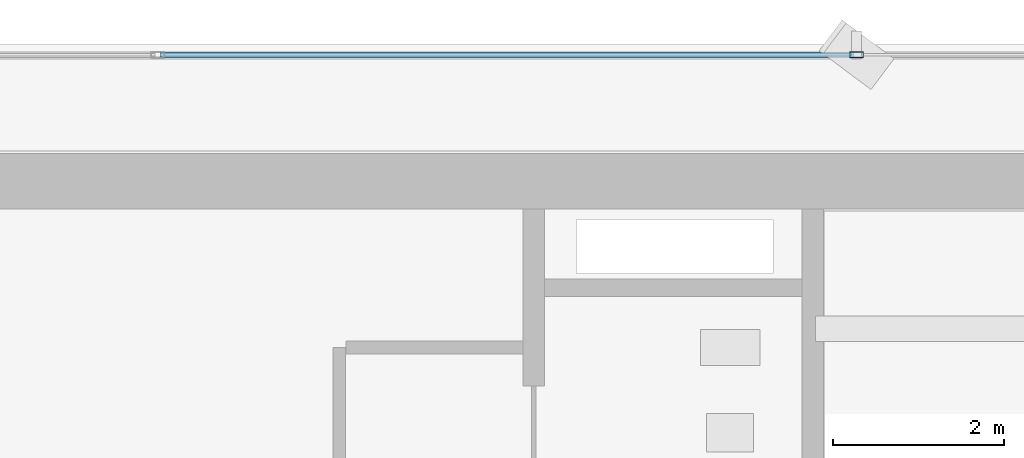
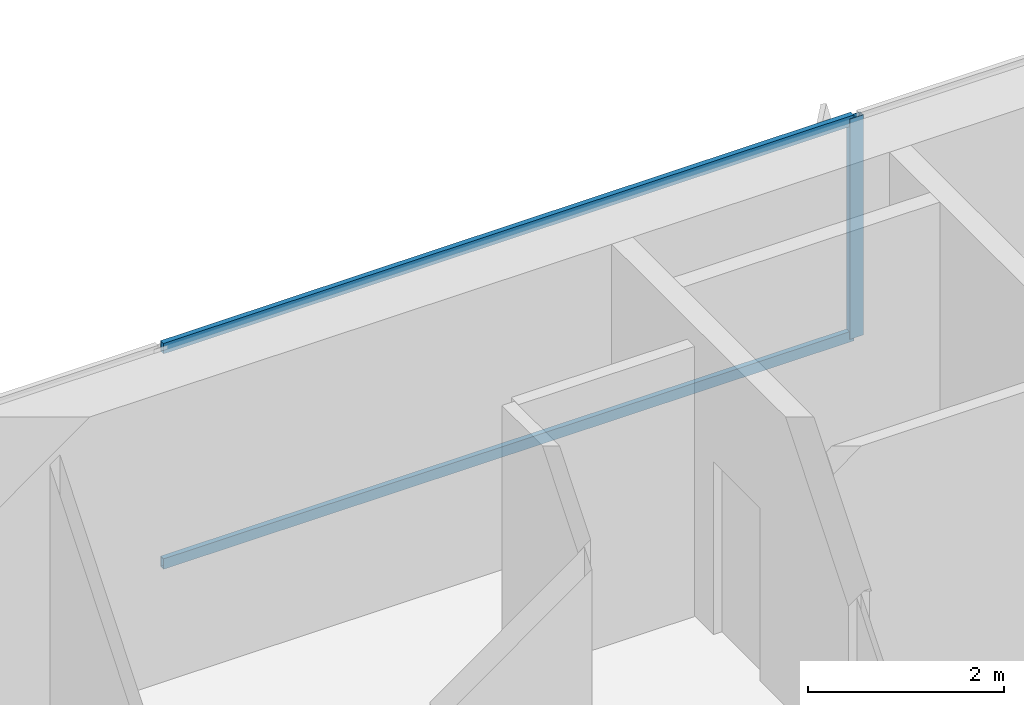
# One storey, part 25 of 36: 3 members, 1 element without a shape of its own.
"""IFC4 building model written with IfcOpenShell, lengths in metres."""

from ifc_helpers import new_model, si_unit, direction, frame, origin, origin_2d, place, context, subcontext, project, spatial, hollow_rectangle, extrude, source, transform, mapped, material, layer, layer_set, material_profile, profile_set, type_object, element, aggregate, save


model = new_model("IFC4")

# Units and contexts
model_context = context("Model", 3, precision=1e-05, world=origin(), true_north=direction((0.0, 1.0)))
body_context = subcontext(model_context, "Body", "Model", "MODEL_VIEW")
ifc_project = project(units=[si_unit("LENGTHUNIT", "METRE"), si_unit("AREAUNIT", "SQUARE_METRE"), si_unit("VOLUMEUNIT", "CUBIC_METRE"), si_unit("PLANEANGLEUNIT", "RADIAN"), si_unit("MASSUNIT", "GRAM", prefix="KILO")], contexts=[model_context])

# Site, building, storey
site_placement = place(None, origin())
site = spatial("IfcSite", under=ifc_project, at=site_placement, CompositionType="ELEMENT")
building_placement = place(site_placement, origin())
building = spatial("IfcBuilding", under=site, at=building_placement, Name="Sumidabori Civic Tower", CompositionType="ELEMENT")
storey_placement = place(building_placement, frame((0.0, 0.0, 77.60009765625)))
storey = spatial("IfcBuildingStorey", under=building, at=storey_placement, Name="L19", CompositionType="ELEMENT", Elevation=77.60009765625)

# Curtain wall, members
ifc_material = material(Name="Anodised Bronze Aluminium AW-6063-T6", Category="aluminium")
ifc_layer = layer(ifc_material, 0.179931640625, Name="Anodised Bronze Aluminium AW-6063-T6")
ifc_layer_set = layer_set([ifc_layer], Name="Anodised Bronze Aluminium AW-6063-T6")
curtain_wall_type = type_object("IfcCurtainWallType", Name="CW-SYS-3", PredefinedType="NOTDEFINED", material=ifc_layer_set)
curtain_wall_placement = place(storey_placement, origin())
curtain_wall = element("IfcCurtainWall", 1, at=curtain_wall_placement, inside=storey, type_object=curtain_wall_type, Name="Curtain Wall CW:L19:R07", PredefinedType="NOTDEFINED")
ifc_material_profile_1 = material_profile(ifc_material, hollow_rectangle(XDim=0.06494140625, YDim=0.159912109375, WallThickness=0.0048828125, at=origin_2d()), Name="ALU MULLION 160x65")
ifc_profile_set_1 = profile_set([ifc_material_profile_1], Name="Anodised Bronze Aluminium AW-6063-T6")
member_type_1 = type_object("IfcMemberType", Name="CW-MUL-160", PredefinedType="MULLION", material=ifc_profile_set_1)
shared_shape_1 = source(origin(), body_context, "Body", "SweptSolid", [
    extrude(hollow_rectangle(XDim=0.06494140625, YDim=0.159912109375, WallThickness=0.0048828125, at=origin_2d()), origin(), (0.0, 0.0, 1.0), 2.739990234375),
])
member_1_placement = place(storey_placement, frame((12.281982421875, 25.280029296875, 0.0), z_axis=(0.0, 0.0, 1.0), x_axis=(0.0, -1.0, 0.0)))
member_1 = element("IfcMember", 2, at=member_1_placement, type_object=member_type_1, Name="CW-3 mullion 2", PredefinedType="MULLION", context=body_context, shape_type="MappedRepresentation", body=[
    mapped(shared_shape_1, transform((0.0, 0.0, 0.0), x_axis=(1.0, 0.0, 0.0), y_axis=(0.0, 1.0, 0.0), z_axis=(0.0, 0.0, 1.0), scale=1.0)),
])
ifc_material_profile_2 = material_profile(ifc_material, hollow_rectangle(XDim=0.06005859375, YDim=0.1298828125, WallThickness=0.0048828125, at=origin_2d()), Name="ALU TRANSOM 130x60")
ifc_profile_set_2 = profile_set([ifc_material_profile_2], Name="Anodised Bronze Aluminium AW-6063-T6")
member_type_2 = type_object("IfcMemberType", Name="CW-TRN-130", PredefinedType="USERDEFINED", material=ifc_profile_set_2)
shared_shape_2 = source(origin(), body_context, "Body", "SweptSolid", [
    extrude(hollow_rectangle(XDim=0.06005859375, YDim=0.1298828125, WallThickness=0.0048828125, at=origin_2d()), origin(), (0.0, 0.0, 1.0), 8.123046875),
])
member_2_placement = place(storey_placement, frame((12.24951171875, 25.280029296875, 0.02978515625), z_axis=(-1.0, 0.0, 0.0), x_axis=(0.0, -1.0, 0.0)))
member_2 = element("IfcMember", 3, at=member_2_placement, type_object=member_type_2, Name="CW-3 transom 2.1", ObjectType="TRANSOM", PredefinedType="USERDEFINED", context=body_context, shape_type="MappedRepresentation", body=[
    mapped(shared_shape_2, transform((0.0, 0.0, 0.0), x_axis=(1.0, 0.0, 0.0), y_axis=(0.0, 1.0, 0.0), z_axis=(0.0, 0.0, 1.0), scale=1.0)),
])
member_3_placement = place(storey_placement, frame((12.24951171875, 25.280029296875, 2.7099609375), z_axis=(-1.0, 0.0, 0.0), x_axis=(0.0, -1.0, 0.0)))
member_3 = element("IfcMember", 4, at=member_3_placement, type_object=member_type_2, Name="CW-3 transom 2.2", ObjectType="TRANSOM", PredefinedType="USERDEFINED", context=body_context, shape_type="MappedRepresentation", body=[
    mapped(shared_shape_2, transform((0.0, 0.0, 0.0), x_axis=(1.0, 0.0, 0.0), y_axis=(0.0, 1.0, 0.0), z_axis=(0.0, 0.0, 1.0), scale=1.0)),
])
aggregate(curtain_wall, [member_1, member_2, member_3])

save(model, "model.ifc")
